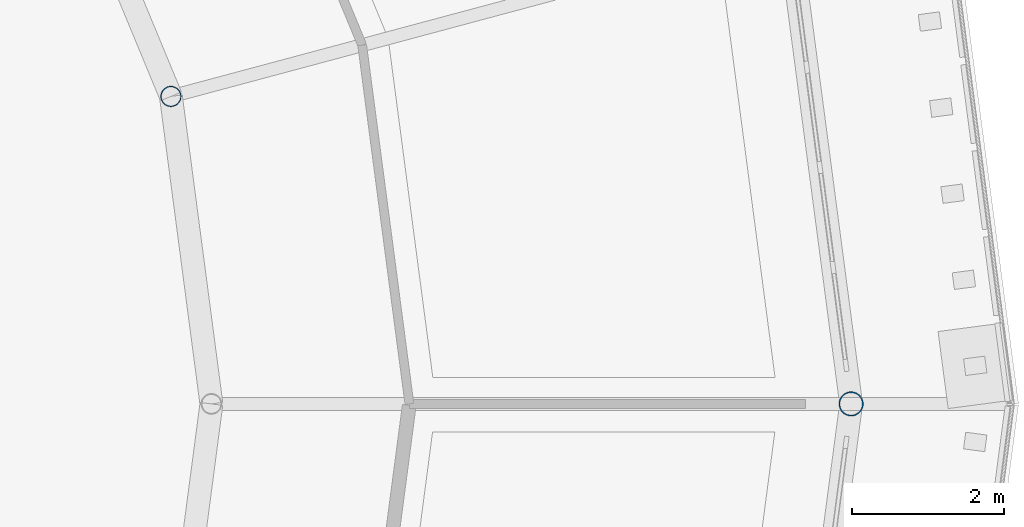
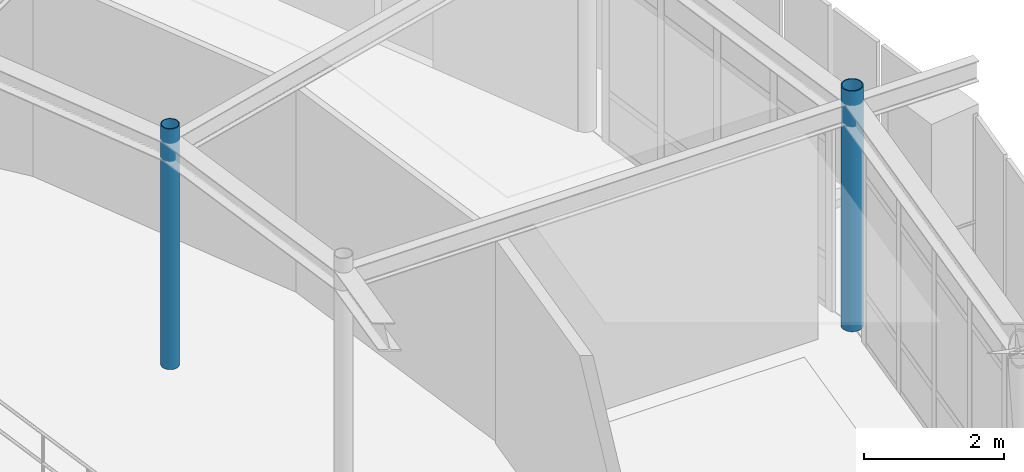
# One storey, part 10 of 90: 2 columns.
"""IFC4 building model written with IfcOpenShell, lengths in metres."""

from ifc_helpers import new_model, si_unit, derived_unit, direction, frame, origin, origin_2d, place, context, subcontext, project, spatial, hollow_circle, extrude, material, material_profile, profile_set, type_object, element, save


model = new_model("IFC4")

# Units and contexts
model_context = context("Model", 3, precision=1e-05, world=origin(), true_north=direction((0.0, 1.0)))
body_context = subcontext(model_context, "Body", "Model", "MODEL_VIEW")
ifc_project = project(units=[si_unit("LENGTHUNIT", "METRE"), si_unit("AREAUNIT", "SQUARE_METRE"), si_unit("VOLUMEUNIT", "CUBIC_METRE"), si_unit("PLANEANGLEUNIT", "RADIAN"), si_unit("MASSUNIT", "GRAM", prefix="KILO"), derived_unit("THERMALTRANSMITTANCEUNIT", [(si_unit("POWERUNIT", "WATT"), 1), (si_unit("AREAUNIT", "SQUARE_METRE"), -1), (si_unit("THERMODYNAMICTEMPERATUREUNIT", "KELVIN"), -1)])], contexts=[model_context])

# Site, building, storey
site_placement = place(None, origin())
site = spatial("IfcSite", under=ifc_project, at=site_placement, CompositionType="ELEMENT")
building_placement = place(site_placement, origin())
building = spatial("IfcBuilding", under=site, at=building_placement, Name="Yasenodar Specialist Clinic", CompositionType="ELEMENT")
storey_placement = place(building_placement, frame((0.0, 0.0, 9.0)))
storey = spatial("IfcBuildingStorey", under=building, at=storey_placement, Name="L02", CompositionType="ELEMENT", Elevation=9.0)

# Columns
ifc_material = material(Name="Steel S355", Category="steel")
ifc_material_profile_1 = material_profile(ifc_material, hollow_circle(Radius=0.136474609375, WallThickness=0.012451171875, at=origin_2d()), Name="CHS 273x12.5")
ifc_profile_set_1 = profile_set([ifc_material_profile_1], Name="Steel S355")
column_type_1 = type_object("IfcColumnType", Name="COL-ST-CHS273", PredefinedType="COLUMN", material=ifc_profile_set_1)
column_1_placement = place(storey_placement, frame((96.068359375, 62.837646484375, 0.0), z_axis=(0.0, 0.0, 1.0), x_axis=(1.0, 0.0, 0.0)))
element("IfcColumn", 1, at=column_1_placement, inside=storey, type_object=column_type_1, Name="L02 Drum V1 Inner Column 02", PredefinedType="COLUMN", context=body_context, shape_type="SweptSolid", body=[
    extrude(hollow_circle(Radius=0.136474609375, WallThickness=0.012451171875, at=origin_2d()), origin(), (0.0, 0.0, 1.0), 4.199951171875),
])
ifc_material_profile_2 = material_profile(ifc_material, hollow_circle(Radius=0.161865234375, WallThickness=0.01611328125, at=origin_2d()), Name="CHS 323.9x16")
ifc_profile_set_2 = profile_set([ifc_material_profile_2], Name="Steel S355")
column_type_2 = type_object("IfcColumnType", Name="COL-ST-CHS324", PredefinedType="COLUMN", material=ifc_profile_set_2)
column_2_placement = place(storey_placement, frame((105.0, 58.800048828125, 0.0), z_axis=(0.0, 0.0, 1.0), x_axis=(1.0, 0.0, 0.0)))
element("IfcColumn", 2, at=column_2_placement, inside=storey, type_object=column_type_2, Name="L02 Drum V1 Outer Column 01", PredefinedType="COLUMN", context=body_context, shape_type="SweptSolid", body=[
    extrude(hollow_circle(Radius=0.161865234375, WallThickness=0.01611328125, at=origin_2d()), origin(), (0.0, 0.0, 1.0), 4.199951171875),
])

save(model, "model.ifc")
